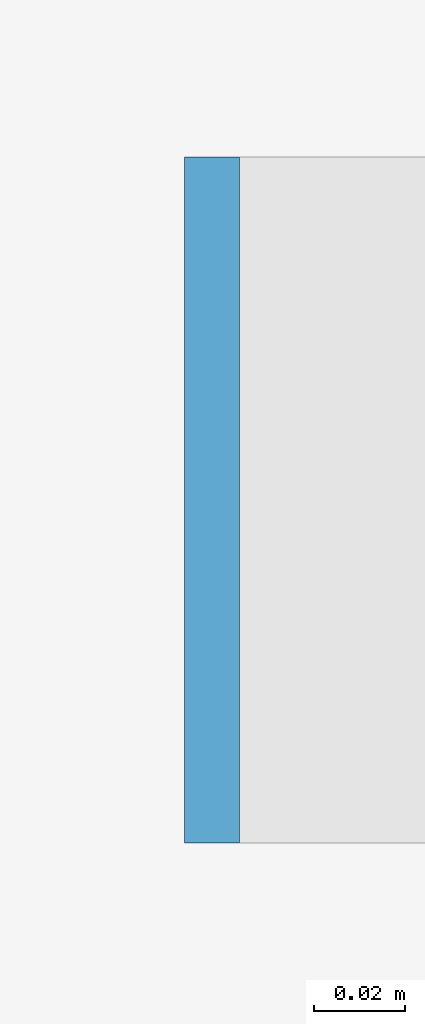
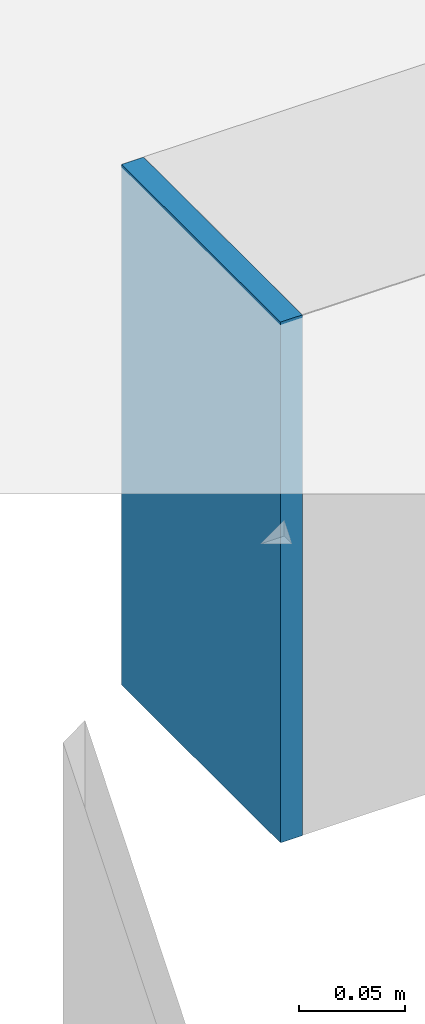
# One storey, part 77 of 105: 1 discrete accessory.
"""IFC4 building model written with IfcOpenShell, lengths in metres."""

from ifc_helpers import new_model, si_unit, direction, frame, origin, place, context, subcontext, project, spatial, polyline, outline, extrude, material, layer, layer_set, type_object, element, save


model = new_model("IFC4")

# Units and contexts
model_context = context("Model", 3, precision=1e-05, world=origin(), true_north=direction((0.0, 1.0)))
body_context = subcontext(model_context, "Body", "Model", "MODEL_VIEW")
ifc_project = project(units=[si_unit("LENGTHUNIT", "METRE"), si_unit("AREAUNIT", "SQUARE_METRE"), si_unit("VOLUMEUNIT", "CUBIC_METRE"), si_unit("PLANEANGLEUNIT", "RADIAN"), si_unit("MASSUNIT", "GRAM", prefix="KILO")], contexts=[model_context])

# Site, building, storey
site_placement = place(None, origin())
site = spatial("IfcSite", under=ifc_project, at=site_placement, CompositionType="ELEMENT")
building_placement = place(site_placement, origin())
building = spatial("IfcBuilding", under=site, at=building_placement, Name="Kisiwana Market Hall", CompositionType="ELEMENT")
storey_placement = place(building_placement, frame((0.0, 0.0, 21.60009765625)))
storey = spatial("IfcBuildingStorey", under=building, at=storey_placement, Name="L04", CompositionType="ELEMENT", Elevation=21.60009765625)

# Discrete accessory
ifc_material = material(Name="Steel S355", Category="steel")
ifc_layer = layer(ifc_material, 0.011962890625)
ifc_layer_set = layer_set([ifc_layer], Name="ACC-ENDCAP-STL")
discrete_accessory_type = type_object("IfcDiscreteAccessoryType", Name="ACC-ENDCAP-STL", PredefinedType="USERDEFINED", material=ifc_layer_set)
discrete_accessory_placement = place(storey_placement, frame((0.0, 0.0, -0.545166015625)))
element("IfcDiscreteAccessory", 1, at=discrete_accessory_placement, inside=storey, type_object=discrete_accessory_type, Name="End cap plate EC-0057", ObjectType="End cap plate", PredefinedType="USERDEFINED", context=body_context, shape_type="SweptSolid", body=[
    extrude(outline(polyline([(0.198974609375, 83.925048828125), (0.198974609375, 84.074951171875), (0.18701171875, 84.074951171875), (0.18701171875, 83.925048828125), (0.198974609375, 83.925048828125)])), origin(), (0.0, 0.0, 1.0), 0.300048828125),
])

save(model, "model.ifc")
